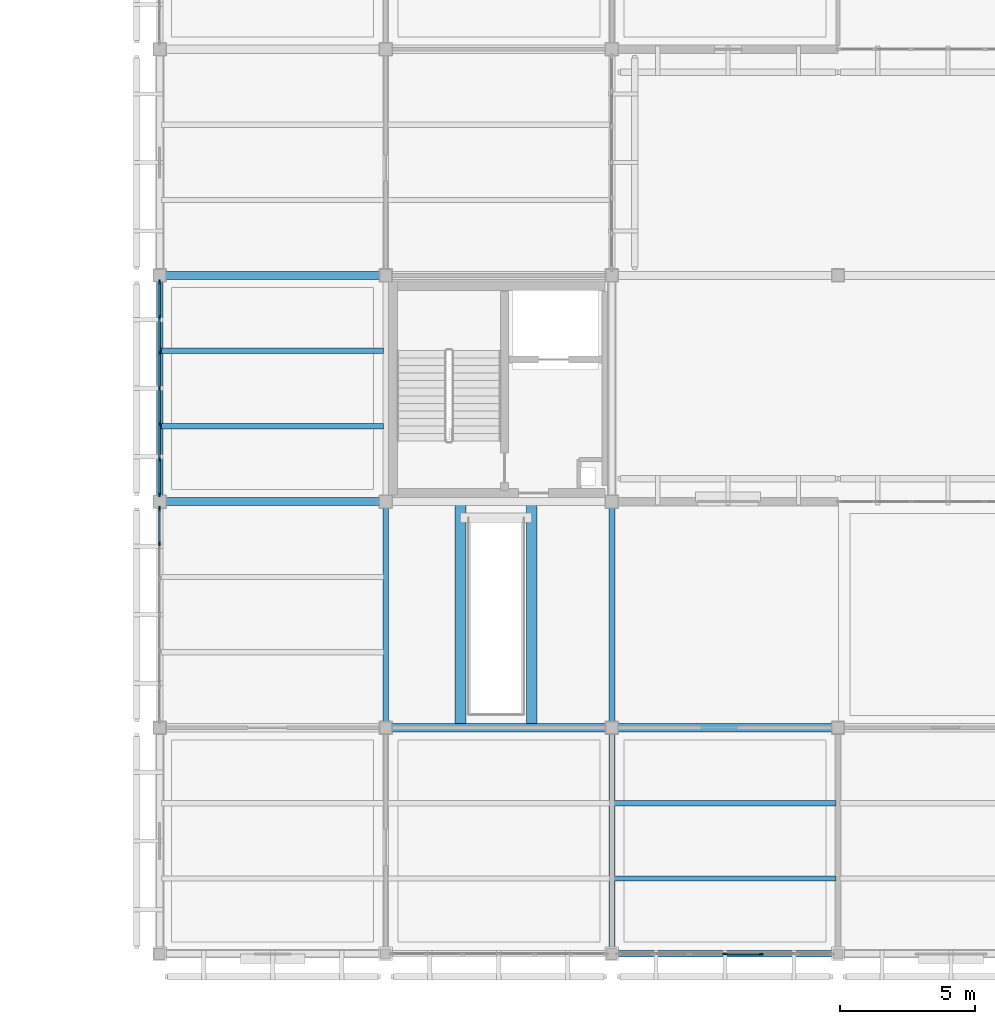
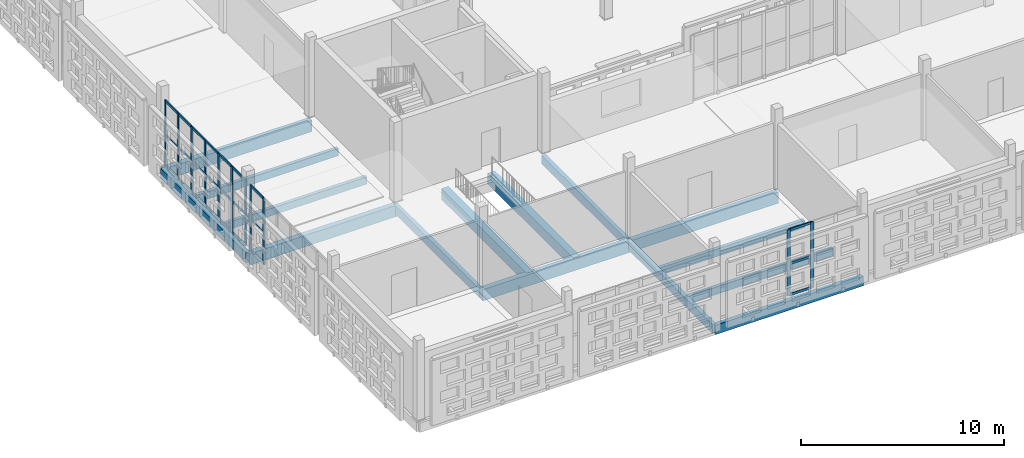
# One storey, part 17 of 203: 35 members, 15 beams, 3 elements without a shape of their own.
"""IFC4 building model written with IfcOpenShell, lengths in metres."""

from ifc_helpers import new_model, si_unit, direction, frame, origin, origin_2d, place, context, subcontext, project, spatial, rectangle, extrude, material, layer, layer_set, material_profile, profile_set, type_object, element, aggregate, save


model = new_model("IFC4")

# Units and contexts
model_context = context("Model", 3, precision=1e-05, world=origin(), true_north=direction((0.0, 1.0)))
body_context = subcontext(model_context, "Body", "Model", "MODEL_VIEW")
ifc_project = project(units=[si_unit("LENGTHUNIT", "METRE"), si_unit("AREAUNIT", "SQUARE_METRE"), si_unit("VOLUMEUNIT", "CUBIC_METRE"), si_unit("PLANEANGLEUNIT", "RADIAN"), si_unit("MASSUNIT", "GRAM", prefix="KILO")], contexts=[model_context])

# Site, building, storey
site_placement = place(None, origin())
site = spatial("IfcSite", under=ifc_project, at=site_placement, CompositionType="ELEMENT")
building_placement = place(site_placement, origin())
building = spatial("IfcBuilding", under=site, at=building_placement, Name="Varnapada Polytechnic", CompositionType="ELEMENT")
storey_placement = place(building_placement, frame((0.0, 0.0, 4.800048828125)))
storey = spatial("IfcBuildingStorey", under=building, at=storey_placement, Name="L01", CompositionType="ELEMENT", Elevation=4.800048828125)

# Beams
ifc_material_1 = material(Name="Glulam GL32h", Category="wood")
ifc_material_profile_1 = material_profile(ifc_material_1, rectangle(XDim=0.199951171875, YDim=0.43994140625, at=origin_2d()), Name="GL 200x440")
ifc_profile_set_1 = profile_set([ifc_material_profile_1], Name="Glulam GL32h")
beam_type_1 = type_object("IfcBeamType", Name="Heavy laboratory glulam joist GJ-03 (GL 200x440)", PredefinedType="JOIST", material=ifc_profile_set_1)
for number, where, z_axis, x_axis, name in (
    (1, (8.47998046875, 19.60009765625, -0.47998046875), (1.0, 0.0, 0.0), (0.0, 1.0, 0.0), "L01 floor joist 2/3.1"),
    (2, (8.47998046875, 22.39990234375, -0.47998046875), (1.0, 0.0, 0.0), (0.0, 1.0, 0.0), "L01 floor joist 2/3.2"),
    (3, (25.280029296875, 2.800048828125, -0.47998046875), (1.0, 0.0, 0.0), (0.0, 1.0, 0.0), "L01 floor joist 4/1.1"),
    (4, (25.280029296875, 5.60009765625, -0.47998046875), (1.0, 0.0, 0.0), (0.0, 1.0, 0.0), "L01 floor joist 4/1.2"),
):
    element("IfcBeam", number, at=place(storey_placement, frame(where, z_axis=z_axis, x_axis=x_axis)), inside=storey, type_object=beam_type_1, Name=name, PredefinedType="JOIST", context=body_context, shape_type="SweptSolid", body=[
        extrude(rectangle(XDim=0.199951171875, YDim=0.43994140625, at=origin_2d()), origin(), (0.0, 0.0, 1.0), 8.239990234375),
    ])
ifc_material_profile_2 = material_profile(ifc_material_1, rectangle(XDim=0.219970703125, YDim=0.52001953125, at=origin_2d()), Name="GL 220x520")
ifc_profile_set_2 = profile_set([ifc_material_profile_2], Name="Glulam GL32h")
beam_type_2 = type_object("IfcBeamType", Name="Laboratory transverse glulam beam GB-12 (GL 220x520)", PredefinedType="BEAM", material=ifc_profile_set_2)
beam_1_placement = place(storey_placement, frame((16.800048828125, 8.39990234375, -0.52001953125), z_axis=(0.0, 1.0, 0.0), x_axis=(-1.0, 0.0, 0.0)))
element("IfcBeam", 5, at=beam_1_placement, inside=storey, type_object=beam_type_2, Name="L01 beam Y 2-3 at X3", PredefinedType="BEAM", context=body_context, shape_type="SweptSolid", body=[
    extrude(rectangle(XDim=0.219970703125, YDim=0.52001953125, at=origin_2d()), origin(), (0.0, 0.0, 1.0), 8.400146484375),
])
beam_2_placement = place(storey_placement, frame((25.199951171875, 0.0, -0.52001953125), z_axis=(0.0, 1.0, 0.0), x_axis=(-1.0, 0.0, 0.0)))
element("IfcBeam", 6, at=beam_2_placement, inside=storey, type_object=beam_type_2, Name="L01 beam Y 1-2 at X4", PredefinedType="BEAM", context=body_context, shape_type="SweptSolid", body=[
    extrude(rectangle(XDim=0.219970703125, YDim=0.52001953125, at=origin_2d()), origin(), (0.0, 0.0, 1.0), 8.39990234375),
])
beam_3_placement = place(storey_placement, frame((25.199951171875, 8.39990234375, -0.530029296875), z_axis=(0.0, 1.0, 0.0), x_axis=(-1.0, 0.0, 0.0)))
element("IfcBeam", 7, at=beam_3_placement, inside=storey, type_object=beam_type_2, Name="L01 beam Y 2-3 at X4", PredefinedType="BEAM", context=body_context, shape_type="SweptSolid", body=[
    extrude(rectangle(XDim=0.219970703125, YDim=0.52001953125, at=origin_2d()), origin(), (0.0, 0.0, 1.0), 8.400146484375),
])

# Curtain wall, members
ifc_material_2 = material(Name="Double low-E laminated glass", Category="glass")
ifc_layer = layer(ifc_material_2, 0.179931640625)
ifc_layer_set = layer_set([ifc_layer], Name="Double low-E laminated glass")
curtain_wall_type = type_object("IfcCurtainWallType", Name="Curtain Wall CW-03", PredefinedType="NOTDEFINED", material=ifc_layer_set)
curtain_wall_1_placement = place(storey_placement, origin())
curtain_wall_1 = element("IfcCurtainWall", 8, at=curtain_wall_1_placement, inside=storey, type_object=curtain_wall_type, Name="L01 unitised curtain wall CW-03 (27)", PredefinedType="NOTDEFINED")
ifc_material_3 = material(Name="Anodised aluminium", Category="aluminium")
ifc_material_profile_3 = material_profile(ifc_material_3, rectangle(XDim=0.06494140625, YDim=0.179931640625, at=origin_2d()), Name="ALU M65x180")
ifc_profile_set_3 = profile_set([ifc_material_profile_3], Name="Anodised aluminium")
member_type_1 = type_object("IfcMemberType", Name="Mullion M-02", PredefinedType="MULLION", material=ifc_profile_set_3)
member_1_placement = place(storey_placement, frame((8.39990234375, 15.2451171875, 0.0), z_axis=(0.0, 0.0, 1.0), x_axis=(-1.0, 0.0, 0.0)))
member_1 = element("IfcMember", 9, at=member_1_placement, type_object=member_type_1, Name="CW-03 mullion 6", PredefinedType="MULLION", context=body_context, shape_type="SweptSolid", body=[
    extrude(rectangle(XDim=0.06494140625, YDim=0.179931640625, at=origin_2d()), origin(), (0.0, 0.0, 1.0), 3.9599609375),
])
member_2_placement = place(storey_placement, frame((8.39990234375, 16.53759765625, 0.0), z_axis=(0.0, 0.0, 1.0), x_axis=(-1.0, 0.0, 0.0)))
member_2 = element("IfcMember", 10, at=member_2_placement, type_object=member_type_1, Name="CW-03 mullion 7", PredefinedType="MULLION", context=body_context, shape_type="SweptSolid", body=[
    extrude(rectangle(XDim=0.06494140625, YDim=0.179931640625, at=origin_2d()), origin(), (0.0, 0.0, 1.0), 3.9599609375),
])

curtain_wall_2_placement = place(storey_placement, origin())
curtain_wall_2 = element("IfcCurtainWall", 11, at=curtain_wall_2_placement, inside=storey, type_object=curtain_wall_type, Name="L01 unitised curtain wall CW-03 (28)", PredefinedType="NOTDEFINED")
member_3_placement = place(storey_placement, frame((8.39990234375, 17.0625, 0.0), z_axis=(0.0, 0.0, 1.0), x_axis=(-1.0, 0.0, 0.0)))
member_3 = element("IfcMember", 12, at=member_3_placement, type_object=member_type_1, Name="CW-03 mullion 1", PredefinedType="MULLION", context=body_context, shape_type="SweptSolid", body=[
    extrude(rectangle(XDim=0.06494140625, YDim=0.179931640625, at=origin_2d()), origin(), (0.0, 0.0, 1.0), 3.9599609375),
])
member_4_placement = place(storey_placement, frame((8.39990234375, 18.35498046875, 0.0), z_axis=(0.0, 0.0, 1.0), x_axis=(-1.0, 0.0, 0.0)))
member_4 = element("IfcMember", 13, at=member_4_placement, type_object=member_type_1, Name="CW-03 mullion 2", PredefinedType="MULLION", context=body_context, shape_type="SweptSolid", body=[
    extrude(rectangle(XDim=0.06494140625, YDim=0.179931640625, at=origin_2d()), origin(), (0.0, 0.0, 1.0), 3.9599609375),
])
member_5_placement = place(storey_placement, frame((8.39990234375, 19.679931640625, 0.0), z_axis=(0.0, 0.0, 1.0), x_axis=(-1.0, 0.0, 0.0)))
member_5 = element("IfcMember", 14, at=member_5_placement, type_object=member_type_1, Name="CW-03 mullion 3", PredefinedType="MULLION", context=body_context, shape_type="SweptSolid", body=[
    extrude(rectangle(XDim=0.06494140625, YDim=0.179931640625, at=origin_2d()), origin(), (0.0, 0.0, 1.0), 3.9599609375),
])
member_6_placement = place(storey_placement, frame((8.39990234375, 21.0048828125, 0.0), z_axis=(0.0, 0.0, 1.0), x_axis=(-1.0, 0.0, 0.0)))
member_6 = element("IfcMember", 15, at=member_6_placement, type_object=member_type_1, Name="CW-03 mullion 4", PredefinedType="MULLION", context=body_context, shape_type="SweptSolid", body=[
    extrude(rectangle(XDim=0.06494140625, YDim=0.179931640625, at=origin_2d()), origin(), (0.0, 0.0, 1.0), 3.9599609375),
])
member_7_placement = place(storey_placement, frame((8.39990234375, 22.330078125, 0.0), z_axis=(0.0, 0.0, 1.0), x_axis=(-1.0, 0.0, 0.0)))
member_7 = element("IfcMember", 16, at=member_7_placement, type_object=member_type_1, Name="CW-03 mullion 5", PredefinedType="MULLION", context=body_context, shape_type="SweptSolid", body=[
    extrude(rectangle(XDim=0.06494140625, YDim=0.179931640625, at=origin_2d()), origin(), (0.0, 0.0, 1.0), 3.9599609375),
])
member_8_placement = place(storey_placement, frame((8.39990234375, 23.655029296875, 0.0), z_axis=(0.0, 0.0, 1.0), x_axis=(-1.0, 0.0, 0.0)))
member_8 = element("IfcMember", 17, at=member_8_placement, type_object=member_type_1, Name="CW-03 mullion 6", PredefinedType="MULLION", context=body_context, shape_type="SweptSolid", body=[
    extrude(rectangle(XDim=0.06494140625, YDim=0.179931640625, at=origin_2d()), origin(), (0.0, 0.0, 1.0), 3.9599609375),
])
member_9_placement = place(storey_placement, frame((8.39990234375, 24.947509765625, 0.0), z_axis=(0.0, 0.0, 1.0), x_axis=(-1.0, 0.0, 0.0)))
member_9 = element("IfcMember", 18, at=member_9_placement, type_object=member_type_1, Name="CW-03 mullion 7", PredefinedType="MULLION", context=body_context, shape_type="SweptSolid", body=[
    extrude(rectangle(XDim=0.06494140625, YDim=0.179931640625, at=origin_2d()), origin(), (0.0, 0.0, 1.0), 3.9599609375),
])

curtain_wall_3_placement = place(storey_placement, origin())
curtain_wall_3 = element("IfcCurtainWall", 19, at=curtain_wall_3_placement, inside=storey, type_object=curtain_wall_type, Name="L01 unitised curtain wall CW-03 (33)", PredefinedType="NOTDEFINED")
member_10_placement = place(storey_placement, frame((30.739990234375, 0.0, 0.0), z_axis=(0.0, 0.0, 1.0), x_axis=(0.0, -1.0, 0.0)))
member_10 = element("IfcMember", 20, at=member_10_placement, type_object=member_type_1, Name="CW-03 mullion 3", PredefinedType="MULLION", context=body_context, shape_type="SweptSolid", body=[
    extrude(rectangle(XDim=0.06494140625, YDim=0.179931640625, at=origin_2d()), origin(), (0.0, 0.0, 1.0), 3.9599609375),
])
member_11_placement = place(storey_placement, frame((29.405029296875, 0.0, 0.0), z_axis=(0.0, 0.0, 1.0), x_axis=(0.0, -1.0, 0.0)))
member_11 = element("IfcMember", 21, at=member_11_placement, type_object=member_type_1, Name="CW-03 mullion 4", PredefinedType="MULLION", context=body_context, shape_type="SweptSolid", body=[
    extrude(rectangle(XDim=0.06494140625, YDim=0.179931640625, at=origin_2d()), origin(), (0.0, 0.0, 1.0), 3.9599609375),
])

# Beams
ifc_material_profile_4 = material_profile(ifc_material_1, rectangle(XDim=0.239990234375, YDim=0.56005859375, at=origin_2d()), Name="GL 240x560")
ifc_profile_set_4 = profile_set([ifc_material_profile_4], Name="Glulam GL32h")
beam_type_3 = type_object("IfcBeamType", Name="Perimeter glulam spandrel beam SP-02 (GL 240x560)", PredefinedType="SPANDREL", material=ifc_profile_set_4)
beam_4_placement = place(storey_placement, frame((25.199951171875, 0.0, -0.5400390625), z_axis=(1.0, 0.0, 0.0), x_axis=(0.0, 1.0, 0.0)))
element("IfcBeam", 22, at=beam_4_placement, inside=storey, type_object=beam_type_3, Name="L01 beam X 4-5 at Y1", PredefinedType="SPANDREL", context=body_context, shape_type="SweptSolid", body=[
    extrude(rectangle(XDim=0.239990234375, YDim=0.56005859375, at=origin_2d()), origin(), (0.0, 0.0, 1.0), 8.400146484375),
])
beam_5_placement = place(storey_placement, frame((8.39990234375, 16.800048828125, -0.5400390625), z_axis=(0.0, 1.0, 0.0), x_axis=(-1.0, 0.0, 0.0)))
element("IfcBeam", 23, at=beam_5_placement, inside=storey, type_object=beam_type_3, Name="L01 beam Y 3-4 at X2", PredefinedType="SPANDREL", context=body_context, shape_type="SweptSolid", body=[
    extrude(rectangle(XDim=0.239990234375, YDim=0.56005859375, at=origin_2d()), origin(), (0.0, 0.0, 1.0), 8.39990234375),
])
ifc_material_4 = material(Name="Concrete C40/50", Category="concrete")
ifc_material_profile_5 = material_profile(ifc_material_4, rectangle(XDim=0.39990234375, YDim=0.64990234375, at=origin_2d()), Name="RC 400x650")
ifc_profile_set_5 = profile_set([ifc_material_profile_5], Name="Concrete C40/50")
beam_type_4 = type_object("IfcBeamType", Name="Podium framing beam BB-02 (RC 400x650)", PredefinedType="BEAM", material=ifc_profile_set_5)
for number, where, z_axis, x_axis, name in (
    (24, (19.580078125, 8.39990234375, -0.5849609375), (0.0, 1.0, 0.0), (-1.0, 0.0, 0.0), "L01 feature stair ST-F1 trimmer girder L"),
    (25, (22.219970703125, 8.39990234375, -0.5849609375), (0.0, 1.0, 0.0), (-1.0, 0.0, 0.0), "L01 feature stair ST-F1 trimmer girder R"),
):
    element("IfcBeam", number, at=place(storey_placement, frame(where, z_axis=z_axis, x_axis=x_axis)), inside=storey, type_object=beam_type_4, Name=name, PredefinedType="BEAM", context=body_context, shape_type="SweptSolid", body=[
        extrude(rectangle(XDim=0.39990234375, YDim=0.64990234375, at=origin_2d()), origin(), (0.0, 0.0, 1.0), 8.400146484375),
    ])

# Member
ifc_material_profile_6 = material_profile(ifc_material_3, rectangle(XDim=0.06494140625, YDim=0.139892578125, at=origin_2d()), Name="ALU T65x140")
ifc_profile_set_6 = profile_set([ifc_material_profile_6], Name="Anodised aluminium")
member_type_2 = type_object("IfcMemberType", Name="Transom T-02", PredefinedType="USERDEFINED", material=ifc_profile_set_6)
member_12_placement = place(storey_placement, frame((8.39990234375, 15.277587890625, 0.032470703125), z_axis=(0.0, 1.0, 0.0), x_axis=(-1.0, 0.0, 0.0)))
member_12 = element("IfcMember", 26, at=member_12_placement, type_object=member_type_2, Name="CW-03 transom 6.1", ObjectType="TRANSOM", PredefinedType="USERDEFINED", context=body_context, shape_type="SweptSolid", body=[
    extrude(rectangle(XDim=0.06494140625, YDim=0.139892578125, at=origin_2d()), origin(), (0.0, 0.0, 1.0), 1.227294921875),
])

member_13_placement = place(storey_placement, frame((8.39990234375, 15.277587890625, 1.900634765625), z_axis=(0.0, 1.0, 0.0), x_axis=(-1.0, 0.0, 0.0)))
member_13 = element("IfcMember", 27, at=member_13_placement, type_object=member_type_2, Name="CW-03 transom 6.2", ObjectType="TRANSOM", PredefinedType="USERDEFINED", context=body_context, shape_type="SweptSolid", body=[
    extrude(rectangle(XDim=0.06494140625, YDim=0.139892578125, at=origin_2d()), origin(), (0.0, 0.0, 1.0), 1.227294921875),
])

member_14_placement = place(storey_placement, frame((8.39990234375, 15.277587890625, 3.927490234375), z_axis=(0.0, 1.0, 0.0), x_axis=(-1.0, 0.0, 0.0)))
member_14 = element("IfcMember", 28, at=member_14_placement, type_object=member_type_2, Name="CW-03 transom 6.3", ObjectType="TRANSOM", PredefinedType="USERDEFINED", context=body_context, shape_type="SweptSolid", body=[
    extrude(rectangle(XDim=0.06494140625, YDim=0.139892578125, at=origin_2d()), origin(), (0.0, 0.0, 1.0), 1.227294921875),
])

aggregate(curtain_wall_1, [member_1, member_2, member_12, member_13, member_14])

member_15_placement = place(storey_placement, frame((8.39990234375, 17.094970703125, 0.032470703125), z_axis=(0.0, 1.0, 0.0), x_axis=(-1.0, 0.0, 0.0)))
member_15 = element("IfcMember", 29, at=member_15_placement, type_object=member_type_2, Name="CW-03 transom 1.1", ObjectType="TRANSOM", PredefinedType="USERDEFINED", context=body_context, shape_type="SweptSolid", body=[
    extrude(rectangle(XDim=0.06494140625, YDim=0.139892578125, at=origin_2d()), origin(), (0.0, 0.0, 1.0), 1.2275390625),
])

member_16_placement = place(storey_placement, frame((8.39990234375, 17.094970703125, 1.900634765625), z_axis=(0.0, 1.0, 0.0), x_axis=(-1.0, 0.0, 0.0)))
member_16 = element("IfcMember", 30, at=member_16_placement, type_object=member_type_2, Name="CW-03 transom 1.2", ObjectType="TRANSOM", PredefinedType="USERDEFINED", context=body_context, shape_type="SweptSolid", body=[
    extrude(rectangle(XDim=0.06494140625, YDim=0.139892578125, at=origin_2d()), origin(), (0.0, 0.0, 1.0), 1.2275390625),
])

member_17_placement = place(storey_placement, frame((8.39990234375, 17.094970703125, 3.927490234375), z_axis=(0.0, 1.0, 0.0), x_axis=(-1.0, 0.0, 0.0)))
member_17 = element("IfcMember", 31, at=member_17_placement, type_object=member_type_2, Name="CW-03 transom 1.3", ObjectType="TRANSOM", PredefinedType="USERDEFINED", context=body_context, shape_type="SweptSolid", body=[
    extrude(rectangle(XDim=0.06494140625, YDim=0.139892578125, at=origin_2d()), origin(), (0.0, 0.0, 1.0), 1.2275390625),
])

member_18_placement = place(storey_placement, frame((8.39990234375, 18.387451171875, 0.032470703125), z_axis=(0.0, 1.0, 0.0), x_axis=(-1.0, 0.0, 0.0)))
member_18 = element("IfcMember", 32, at=member_18_placement, type_object=member_type_2, Name="CW-03 transom 2.1", ObjectType="TRANSOM", PredefinedType="USERDEFINED", context=body_context, shape_type="SweptSolid", body=[
    extrude(rectangle(XDim=0.06494140625, YDim=0.139892578125, at=origin_2d()), origin(), (0.0, 0.0, 1.0), 1.260009765625),
])

member_19_placement = place(storey_placement, frame((8.39990234375, 18.387451171875, 1.900634765625), z_axis=(0.0, 1.0, 0.0), x_axis=(-1.0, 0.0, 0.0)))
member_19 = element("IfcMember", 33, at=member_19_placement, type_object=member_type_2, Name="CW-03 transom 2.2", ObjectType="TRANSOM", PredefinedType="USERDEFINED", context=body_context, shape_type="SweptSolid", body=[
    extrude(rectangle(XDim=0.06494140625, YDim=0.139892578125, at=origin_2d()), origin(), (0.0, 0.0, 1.0), 1.260009765625),
])

member_20_placement = place(storey_placement, frame((8.39990234375, 18.387451171875, 3.927490234375), z_axis=(0.0, 1.0, 0.0), x_axis=(-1.0, 0.0, 0.0)))
member_20 = element("IfcMember", 34, at=member_20_placement, type_object=member_type_2, Name="CW-03 transom 2.3", ObjectType="TRANSOM", PredefinedType="USERDEFINED", context=body_context, shape_type="SweptSolid", body=[
    extrude(rectangle(XDim=0.06494140625, YDim=0.139892578125, at=origin_2d()), origin(), (0.0, 0.0, 1.0), 1.260009765625),
])

member_21_placement = place(storey_placement, frame((8.39990234375, 19.71240234375, 0.032470703125), z_axis=(0.0, 1.0, 0.0), x_axis=(-1.0, 0.0, 0.0)))
member_21 = element("IfcMember", 35, at=member_21_placement, type_object=member_type_2, Name="CW-03 transom 3.1", ObjectType="TRANSOM", PredefinedType="USERDEFINED", context=body_context, shape_type="SweptSolid", body=[
    extrude(rectangle(XDim=0.06494140625, YDim=0.139892578125, at=origin_2d()), origin(), (0.0, 0.0, 1.0), 1.260009765625),
])

member_22_placement = place(storey_placement, frame((8.39990234375, 19.71240234375, 1.900634765625), z_axis=(0.0, 1.0, 0.0), x_axis=(-1.0, 0.0, 0.0)))
member_22 = element("IfcMember", 36, at=member_22_placement, type_object=member_type_2, Name="CW-03 transom 3.2", ObjectType="TRANSOM", PredefinedType="USERDEFINED", context=body_context, shape_type="SweptSolid", body=[
    extrude(rectangle(XDim=0.06494140625, YDim=0.139892578125, at=origin_2d()), origin(), (0.0, 0.0, 1.0), 1.260009765625),
])

member_23_placement = place(storey_placement, frame((8.39990234375, 19.71240234375, 3.927490234375), z_axis=(0.0, 1.0, 0.0), x_axis=(-1.0, 0.0, 0.0)))
member_23 = element("IfcMember", 37, at=member_23_placement, type_object=member_type_2, Name="CW-03 transom 3.3", ObjectType="TRANSOM", PredefinedType="USERDEFINED", context=body_context, shape_type="SweptSolid", body=[
    extrude(rectangle(XDim=0.06494140625, YDim=0.139892578125, at=origin_2d()), origin(), (0.0, 0.0, 1.0), 1.260009765625),
])

member_24_placement = place(storey_placement, frame((8.39990234375, 21.03759765625, 0.032470703125), z_axis=(0.0, 1.0, 0.0), x_axis=(-1.0, 0.0, 0.0)))
member_24 = element("IfcMember", 38, at=member_24_placement, type_object=member_type_2, Name="CW-03 transom 4.1", ObjectType="TRANSOM", PredefinedType="USERDEFINED", context=body_context, shape_type="SweptSolid", body=[
    extrude(rectangle(XDim=0.06494140625, YDim=0.139892578125, at=origin_2d()), origin(), (0.0, 0.0, 1.0), 1.260009765625),
])

member_25_placement = place(storey_placement, frame((8.39990234375, 21.03759765625, 1.900634765625), z_axis=(0.0, 1.0, 0.0), x_axis=(-1.0, 0.0, 0.0)))
member_25 = element("IfcMember", 39, at=member_25_placement, type_object=member_type_2, Name="CW-03 transom 4.2", ObjectType="TRANSOM", PredefinedType="USERDEFINED", context=body_context, shape_type="SweptSolid", body=[
    extrude(rectangle(XDim=0.06494140625, YDim=0.139892578125, at=origin_2d()), origin(), (0.0, 0.0, 1.0), 1.260009765625),
])

member_26_placement = place(storey_placement, frame((8.39990234375, 21.03759765625, 3.927490234375), z_axis=(0.0, 1.0, 0.0), x_axis=(-1.0, 0.0, 0.0)))
member_26 = element("IfcMember", 40, at=member_26_placement, type_object=member_type_2, Name="CW-03 transom 4.3", ObjectType="TRANSOM", PredefinedType="USERDEFINED", context=body_context, shape_type="SweptSolid", body=[
    extrude(rectangle(XDim=0.06494140625, YDim=0.139892578125, at=origin_2d()), origin(), (0.0, 0.0, 1.0), 1.260009765625),
])

member_27_placement = place(storey_placement, frame((8.39990234375, 22.362548828125, 0.032470703125), z_axis=(0.0, 1.0, 0.0), x_axis=(-1.0, 0.0, 0.0)))
member_27 = element("IfcMember", 41, at=member_27_placement, type_object=member_type_2, Name="CW-03 transom 5.1", ObjectType="TRANSOM", PredefinedType="USERDEFINED", context=body_context, shape_type="SweptSolid", body=[
    extrude(rectangle(XDim=0.06494140625, YDim=0.139892578125, at=origin_2d()), origin(), (0.0, 0.0, 1.0), 1.260009765625),
])

member_28_placement = place(storey_placement, frame((8.39990234375, 22.362548828125, 1.900634765625), z_axis=(0.0, 1.0, 0.0), x_axis=(-1.0, 0.0, 0.0)))
member_28 = element("IfcMember", 42, at=member_28_placement, type_object=member_type_2, Name="CW-03 transom 5.2", ObjectType="TRANSOM", PredefinedType="USERDEFINED", context=body_context, shape_type="SweptSolid", body=[
    extrude(rectangle(XDim=0.06494140625, YDim=0.139892578125, at=origin_2d()), origin(), (0.0, 0.0, 1.0), 1.260009765625),
])

member_29_placement = place(storey_placement, frame((8.39990234375, 22.362548828125, 3.927490234375), z_axis=(0.0, 1.0, 0.0), x_axis=(-1.0, 0.0, 0.0)))
member_29 = element("IfcMember", 43, at=member_29_placement, type_object=member_type_2, Name="CW-03 transom 5.3", ObjectType="TRANSOM", PredefinedType="USERDEFINED", context=body_context, shape_type="SweptSolid", body=[
    extrude(rectangle(XDim=0.06494140625, YDim=0.139892578125, at=origin_2d()), origin(), (0.0, 0.0, 1.0), 1.260009765625),
])

member_30_placement = place(storey_placement, frame((8.39990234375, 23.6875, 0.032470703125), z_axis=(0.0, 1.0, 0.0), x_axis=(-1.0, 0.0, 0.0)))
member_30 = element("IfcMember", 44, at=member_30_placement, type_object=member_type_2, Name="CW-03 transom 6.1", ObjectType="TRANSOM", PredefinedType="USERDEFINED", context=body_context, shape_type="SweptSolid", body=[
    extrude(rectangle(XDim=0.06494140625, YDim=0.139892578125, at=origin_2d()), origin(), (0.0, 0.0, 1.0), 1.2275390625),
])

member_31_placement = place(storey_placement, frame((8.39990234375, 23.6875, 1.900634765625), z_axis=(0.0, 1.0, 0.0), x_axis=(-1.0, 0.0, 0.0)))
member_31 = element("IfcMember", 45, at=member_31_placement, type_object=member_type_2, Name="CW-03 transom 6.2", ObjectType="TRANSOM", PredefinedType="USERDEFINED", context=body_context, shape_type="SweptSolid", body=[
    extrude(rectangle(XDim=0.06494140625, YDim=0.139892578125, at=origin_2d()), origin(), (0.0, 0.0, 1.0), 1.2275390625),
])

member_32_placement = place(storey_placement, frame((8.39990234375, 23.6875, 3.927490234375), z_axis=(0.0, 1.0, 0.0), x_axis=(-1.0, 0.0, 0.0)))
member_32 = element("IfcMember", 46, at=member_32_placement, type_object=member_type_2, Name="CW-03 transom 6.3", ObjectType="TRANSOM", PredefinedType="USERDEFINED", context=body_context, shape_type="SweptSolid", body=[
    extrude(rectangle(XDim=0.06494140625, YDim=0.139892578125, at=origin_2d()), origin(), (0.0, 0.0, 1.0), 1.2275390625),
])

aggregate(curtain_wall_2, [member_3, member_4, member_5, member_6, member_7, member_8, member_9, member_15, member_16, member_17, member_18, member_19, member_20, member_21, member_22, member_23, member_24, member_25, member_26, member_27, member_28, member_29, member_30, member_31, member_32])

member_33_placement = place(storey_placement, frame((30.70751953125, 0.0, 0.032470703125), z_axis=(-1.0, 0.0, 0.0), x_axis=(0.0, -1.0, 0.0)))
member_33 = element("IfcMember", 47, at=member_33_placement, type_object=member_type_2, Name="CW-03 transom 3.1", ObjectType="TRANSOM", PredefinedType="USERDEFINED", context=body_context, shape_type="SweptSolid", body=[
    extrude(rectangle(XDim=0.06494140625, YDim=0.139892578125, at=origin_2d()), origin(), (0.0, 0.0, 1.0), 1.27001953125),
])

member_34_placement = place(storey_placement, frame((30.70751953125, 0.0, 1.900634765625), z_axis=(-1.0, 0.0, 0.0), x_axis=(0.0, -1.0, 0.0)))
member_34 = element("IfcMember", 48, at=member_34_placement, type_object=member_type_2, Name="CW-03 transom 3.2", ObjectType="TRANSOM", PredefinedType="USERDEFINED", context=body_context, shape_type="SweptSolid", body=[
    extrude(rectangle(XDim=0.06494140625, YDim=0.139892578125, at=origin_2d()), origin(), (0.0, 0.0, 1.0), 1.27001953125),
])

member_35_placement = place(storey_placement, frame((30.70751953125, 0.0, 3.927490234375), z_axis=(-1.0, 0.0, 0.0), x_axis=(0.0, -1.0, 0.0)))
member_35 = element("IfcMember", 49, at=member_35_placement, type_object=member_type_2, Name="CW-03 transom 3.3", ObjectType="TRANSOM", PredefinedType="USERDEFINED", context=body_context, shape_type="SweptSolid", body=[
    extrude(rectangle(XDim=0.06494140625, YDim=0.139892578125, at=origin_2d()), origin(), (0.0, 0.0, 1.0), 1.27001953125),
])

aggregate(curtain_wall_3, [member_10, member_11, member_33, member_34, member_35])

# Beams
ifc_material_profile_7 = material_profile(ifc_material_1, rectangle(XDim=0.300048828125, YDim=0.679931640625, at=origin_2d()), Name="GL 300x680")
ifc_profile_set_7 = profile_set([ifc_material_profile_7], Name="Glulam GL32h")
beam_type_5 = type_object("IfcBeamType", Name="Wet laboratory glulam girder GG-04 (GL 300x680)", PredefinedType="BEAM", material=ifc_profile_set_7)
for number, where, z_axis, x_axis, name in (
    (50, (8.39990234375, 16.800048828125, -0.60009765625), (1.0, 0.0, 0.0), (0.0, 1.0, 0.0), "L01 beam X 2-3 at Y3"),
    (51, (8.39990234375, 25.199951171875, -0.60009765625), (1.0, 0.0, 0.0), (0.0, 1.0, 0.0), "L01 beam X 2-3 at Y4"),
):
    element("IfcBeam", number, at=place(storey_placement, frame(where, z_axis=z_axis, x_axis=x_axis)), inside=storey, type_object=beam_type_5, Name=name, PredefinedType="BEAM", context=body_context, shape_type="SweptSolid", body=[
        extrude(rectangle(XDim=0.300048828125, YDim=0.679931640625, at=origin_2d()), origin(), (0.0, 0.0, 1.0), 8.400146484375),
    ])
beam_6_placement = place(storey_placement, frame((16.800048828125, 8.39990234375, -0.60009765625), z_axis=(1.0, 0.0, 0.0), x_axis=(0.0, 1.0, 0.0)))
element("IfcBeam", 52, at=beam_6_placement, inside=storey, type_object=beam_type_5, Name="L01 beam X 3-4 at Y2", PredefinedType="BEAM", context=body_context, shape_type="SweptSolid", body=[
    extrude(rectangle(XDim=0.300048828125, YDim=0.679931640625, at=origin_2d()), origin(), (0.0, 0.0, 1.0), 8.39990234375),
])
beam_7_placement = place(storey_placement, frame((25.199951171875, 8.39990234375, -0.60009765625), z_axis=(1.0, 0.0, 0.0), x_axis=(0.0, 1.0, 0.0)))
element("IfcBeam", 53, at=beam_7_placement, inside=storey, type_object=beam_type_5, Name="L01 beam X 4-5 at Y2", PredefinedType="BEAM", context=body_context, shape_type="SweptSolid", body=[
    extrude(rectangle(XDim=0.300048828125, YDim=0.679931640625, at=origin_2d()), origin(), (0.0, 0.0, 1.0), 8.400146484375),
])

save(model, "model.ifc")
